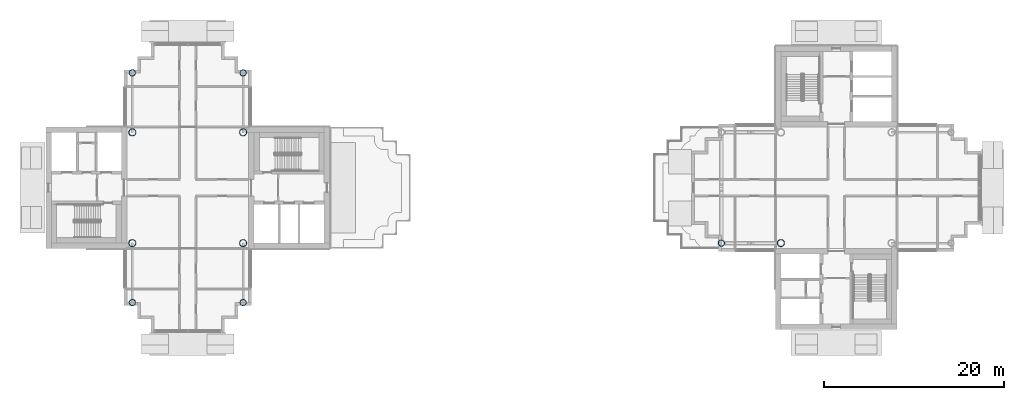
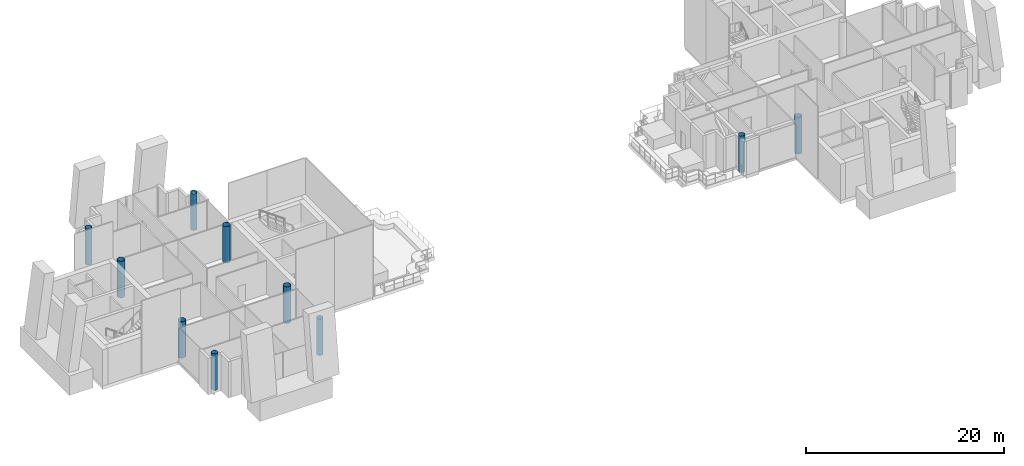
# One storey, part 1 of 16: 10 columns.
"""IFC4 building model written with IfcOpenShell, lengths in metres."""

from ifc_helpers import new_model, si_unit, direction, frame, origin, origin_2d, place, context, subcontext, project, spatial, hollow_circle, extrude, material, material_profile, profile_set, type_object, element, save


model = new_model("IFC4")

# Units and contexts
model_context = context("Model", 3, precision=1e-05, world=origin(), true_north=direction((0.0, 1.0)))
body_context = subcontext(model_context, "Body", "Model", "MODEL_VIEW")
ifc_project = project(units=[si_unit("LENGTHUNIT", "METRE"), si_unit("AREAUNIT", "SQUARE_METRE"), si_unit("VOLUMEUNIT", "CUBIC_METRE"), si_unit("PLANEANGLEUNIT", "RADIAN"), si_unit("MASSUNIT", "GRAM", prefix="KILO")], contexts=[model_context])

# Site, building, storey
site_placement = place(None, origin())
site = spatial("IfcSite", under=ifc_project, at=site_placement, CompositionType="ELEMENT")
building_placement = place(site_placement, origin())
building = spatial("IfcBuilding", under=site, at=building_placement, Name="Ipe Terrace Towers", CompositionType="ELEMENT")
storey_placement = place(building_placement, frame((0.0, 0.0, 233.39990234375)))
storey = spatial("IfcBuildingStorey", under=building, at=storey_placement, Name="L65", CompositionType="ELEMENT", Elevation=233.39990234375)

# Columns
ifc_material_1 = material(Name="Steel S355 tube with Concrete C60/75 fill", Category="concrete")
ifc_material_profile_1 = material_profile(ifc_material_1, hollow_circle(Radius=0.35009765625, WallThickness=0.02490234375, at=origin_2d()), Name="CHS-700x25")
ifc_profile_set_1 = profile_set([ifc_material_profile_1], Name="Steel S355 tube with Concrete C60/75 fill")
column_type_1 = type_object("IfcColumnType", Name="CH08 COLUMN CHS-700x25", PredefinedType="COLUMN", material=ifc_profile_set_1)
for number, where, z_axis, x_axis, name in (
    (1, (-29.85009765625, 12.75, 0.0), (0.0, 0.0, 1.0), (1.0, 0.0, 0.0), "Column T1-C-B01"),
    (2, (-42.14990234375, 12.75, 0.0), (0.0, 0.0, 1.0), (1.0, 0.0, 0.0), "Column T1-C-B02"),
    (3, (-42.14990234375, -12.75, 0.0), (0.0, 0.0, 1.0), (1.0, 0.0, 0.0), "Column T1-C-D01"),
    (4, (-29.85009765625, -12.75, 0.0), (0.0, 0.0, 1.0), (1.0, 0.0, 0.0), "Column T1-C-D02"),
    (5, (23.25, -6.14990234375, 0.0), (0.0, 0.0, 1.0), (1.0, 0.0, 0.0), "Column T2-C-B02"),
):
    element("IfcColumn", number, at=place(storey_placement, frame(where, z_axis=z_axis, x_axis=x_axis)), inside=storey, type_object=column_type_1, Name=name, PredefinedType="COLUMN", context=body_context, shape_type="SweptSolid", body=[
        extrude(hollow_circle(Radius=0.35009765625, WallThickness=0.02490234375, at=origin_2d()), origin(), (0.0, 0.0, 1.0), 4.5),
    ])
ifc_material_2 = material(Name="Steel S355 tube with Concrete C60/75 fill", Category="concrete")
ifc_material_profile_2 = material_profile(ifc_material_2, hollow_circle(Radius=0.39990234375, WallThickness=0.028076171875, at=origin_2d()), Name="CHS-800x28")
ifc_profile_set_2 = profile_set([ifc_material_profile_2], Name="Steel S355 tube with Concrete C60/75 fill")
column_type_2 = type_object("IfcColumnType", Name="CH09 COLUMN CHS-800x28", PredefinedType="COLUMN", material=ifc_profile_set_2)
for number, where, z_axis, x_axis, name in (
    (6, (-42.14990234375, -6.14990234375, 0.0), (0.0, 0.0, 1.0), (1.0, 0.0, 0.0), "Column T1-C-E01"),
    (7, (-29.85009765625, -6.14990234375, 0.0), (0.0, 0.0, 1.0), (1.0, 0.0, 0.0), "Column T1-C-E02"),
    (8, (-29.85009765625, 6.14990234375, 0.0), (0.0, 0.0, 1.0), (1.0, 0.0, 0.0), "Column T1-C-E03"),
    (9, (-42.14990234375, 6.14990234375, 0.0), (0.0, 0.0, 1.0), (1.0, 0.0, 0.0), "Column T1-C-E04"),
    (10, (29.85009765625, -6.14990234375, 0.0), (0.0, 0.0, 1.0), (1.0, 0.0, 0.0), "Column T2-C-E04"),
):
    element("IfcColumn", number, at=place(storey_placement, frame(where, z_axis=z_axis, x_axis=x_axis)), inside=storey, type_object=column_type_2, Name=name, PredefinedType="COLUMN", context=body_context, shape_type="SweptSolid", body=[
        extrude(hollow_circle(Radius=0.39990234375, WallThickness=0.028076171875, at=origin_2d()), origin(), (0.0, 0.0, 1.0), 4.5),
    ])

save(model, "model.ifc")
